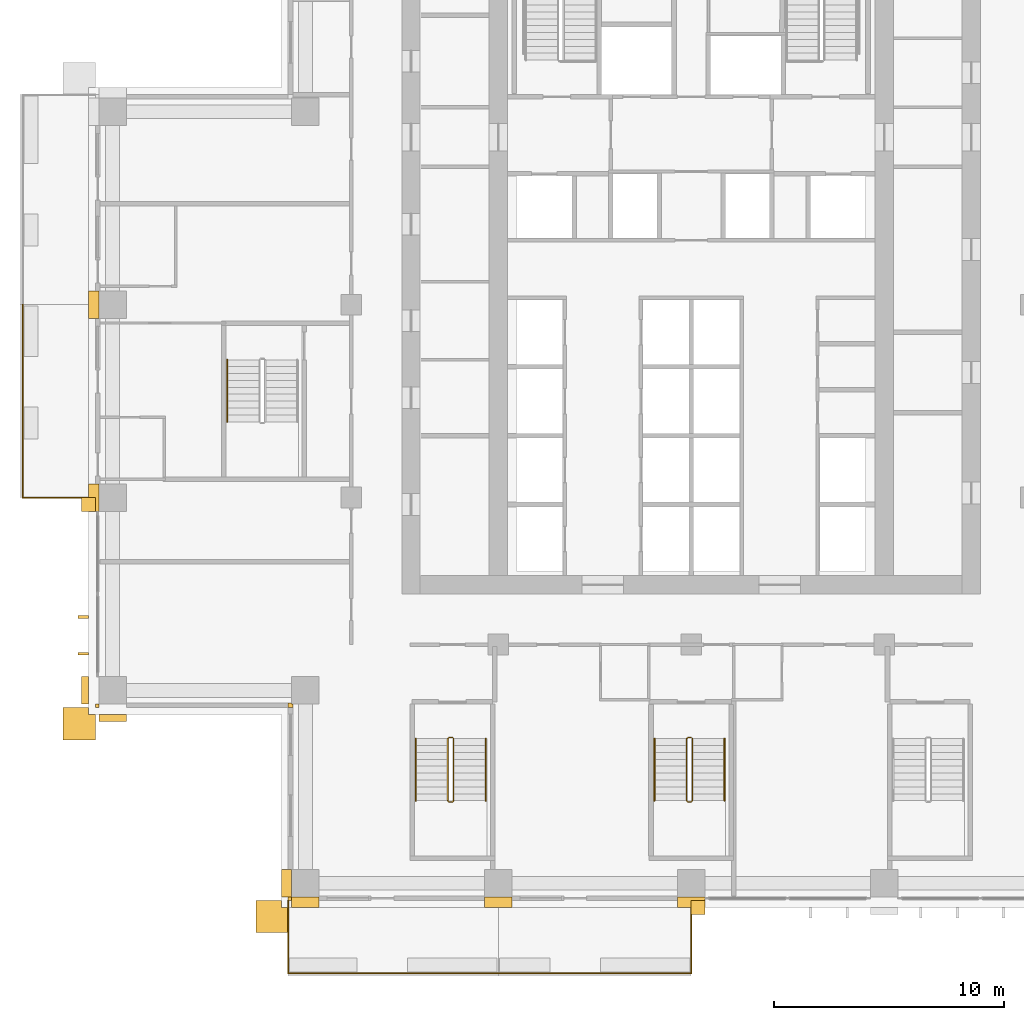
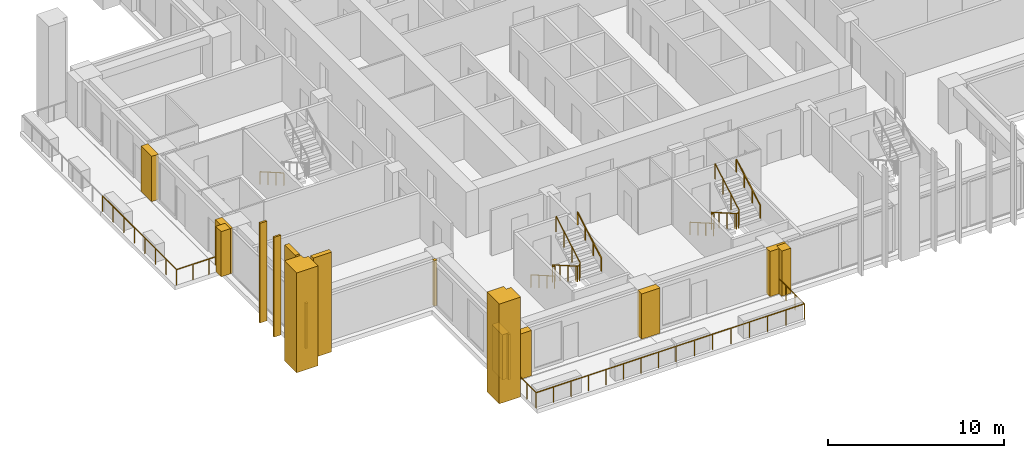
# One storey, part 13 of 17: 17 coverings, 10 railings.
"""IFC4 building model written with IfcOpenShell, lengths in metres."""

from ifc_helpers import new_model, si_unit, direction, frame, origin, origin_2d, place, context, subcontext, project, spatial, polyline, rectangle, outline, extrude, material, layer, layer_set, type_object, element, save


model = new_model("IFC4")

# Units and contexts
model_context = context("Model", 3, precision=1e-05, world=origin(), true_north=direction((0.0, 1.0)))
body_context = subcontext(model_context, "Body", "Model", "MODEL_VIEW")
ifc_project = project(units=[si_unit("LENGTHUNIT", "METRE"), si_unit("AREAUNIT", "SQUARE_METRE"), si_unit("VOLUMEUNIT", "CUBIC_METRE"), si_unit("PLANEANGLEUNIT", "RADIAN"), si_unit("MASSUNIT", "GRAM", prefix="KILO")], contexts=[model_context])

# Site, building, storey
site_placement = place(None, origin())
site = spatial("IfcSite", under=ifc_project, at=site_placement, CompositionType="ELEMENT")
building_placement = place(site_placement, origin())
building = spatial("IfcBuilding", under=site, at=building_placement, Name="Vermilion Ogive Tower", CompositionType="ELEMENT")
storey_placement = place(building_placement, frame((0.0, 0.0, 97.64990234375)))
storey = spatial("IfcBuildingStorey", under=building, at=storey_placement, Name="L24", CompositionType="ELEMENT", Elevation=97.64990234375)

# Railings
ifc_material_1 = material(Name="Stainless steel and glass", Category="steel")
railing_type_1 = type_object("IfcRailingType", Name="Balcony guard", PredefinedType="GUARDRAIL", material=ifc_material_1)
railing_1_placement = place(storey_placement, frame((-17.550048828125, -21.75, -0.039794921875)))
element("IfcRailing", 1, at=railing_1_placement, inside=storey, type_object=railing_type_1, Name="Guard S01", PredefinedType="GUARDRAIL", context=body_context, shape_type="SweptSolid", body=[
    extrude(rectangle(XDim=0.048095703125, YDim=0.048095703125, at=origin_2d()), frame((0.0, 0.0, 1.076171875), z_axis=(0.0, -1.0, 0.0), x_axis=(1.0, 0.0, 0.0)), (0.0, 0.0, 1.0), 3.159912109375),
    extrude(rectangle(XDim=0.048095703125, YDim=0.048095703125, at=origin_2d()), frame((0.0, -3.159912109375, 1.076171875), z_axis=(1.0, 0.0, 0.0), x_axis=(0.0, 1.0, 0.0)), (0.0, 0.0, 1.0), 9.150146484375),
    extrude(rectangle(XDim=0.0419921875, YDim=0.0419921875, at=origin_2d()), origin(), (0.0, 0.0, 1.0), 1.052001953125),
    extrude(rectangle(XDim=0.0419921875, YDim=0.0419921875, at=origin_2d()), frame((0.0, -1.05322265625, 0.0)), (0.0, 0.0, 1.0), 1.052001953125),
    extrude(rectangle(XDim=0.0419921875, YDim=0.0419921875, at=origin_2d()), frame((0.0, -2.106689453125, 0.0)), (0.0, 0.0, 1.0), 1.052001953125),
    extrude(rectangle(XDim=0.0419921875, YDim=0.0419921875, at=origin_2d()), frame((0.0, -3.159912109375, 0.0)), (0.0, 0.0, 1.0), 1.052001953125),
    extrude(rectangle(XDim=0.0419921875, YDim=0.0419921875, at=origin_2d()), frame((1.143798828125, -3.159912109375, 0.0)), (0.0, 0.0, 1.0), 1.052001953125),
    extrude(rectangle(XDim=0.0419921875, YDim=0.0419921875, at=origin_2d()), frame((2.28759765625, -3.159912109375, 0.0)), (0.0, 0.0, 1.0), 1.052001953125),
    extrude(rectangle(XDim=0.0419921875, YDim=0.0419921875, at=origin_2d()), frame((3.431396484375, -3.159912109375, 0.0)), (0.0, 0.0, 1.0), 1.052001953125),
    extrude(rectangle(XDim=0.0419921875, YDim=0.0419921875, at=origin_2d()), frame((4.5751953125, -3.159912109375, 0.0)), (0.0, 0.0, 1.0), 1.052001953125),
    extrude(rectangle(XDim=0.0419921875, YDim=0.0419921875, at=origin_2d()), frame((5.71875, -3.159912109375, 0.0)), (0.0, 0.0, 1.0), 1.052001953125),
    extrude(rectangle(XDim=0.0419921875, YDim=0.0419921875, at=origin_2d()), frame((6.862548828125, -3.159912109375, 0.0)), (0.0, 0.0, 1.0), 1.052001953125),
    extrude(rectangle(XDim=0.0419921875, YDim=0.0419921875, at=origin_2d()), frame((8.00634765625, -3.159912109375, 0.0)), (0.0, 0.0, 1.0), 1.052001953125),
    extrude(rectangle(XDim=0.0419921875, YDim=0.0419921875, at=origin_2d()), frame((9.150146484375, -3.159912109375, 0.0)), (0.0, 0.0, 1.0), 1.052001953125),
])
railing_2_placement = place(storey_placement, frame((-8.39990234375, -24.909912109375, -0.039794921875)))
element("IfcRailing", 2, at=railing_2_placement, inside=storey, type_object=railing_type_1, Name="Guard S02", PredefinedType="GUARDRAIL", context=body_context, shape_type="SweptSolid", body=[
    extrude(rectangle(XDim=0.048095703125, YDim=0.048095703125, at=origin_2d()), frame((0.0, 0.0, 1.076171875), z_axis=(1.0, 0.0, 0.0), x_axis=(0.0, 1.0, 0.0)), (0.0, 0.0, 1.0), 8.39990234375),
    extrude(rectangle(XDim=0.048095703125, YDim=0.048095703125, at=origin_2d()), frame((8.39990234375, 0.0, 1.076171875), z_axis=(0.0, 1.0, 0.0), x_axis=(-1.0, 0.0, 0.0)), (0.0, 0.0, 1.0), 3.159912109375),
    extrude(rectangle(XDim=0.0419921875, YDim=0.0419921875, at=origin_2d()), origin(), (0.0, 0.0, 1.0), 1.052001953125),
    extrude(rectangle(XDim=0.0419921875, YDim=0.0419921875, at=origin_2d()), frame((1.199951171875, 0.0, 0.0)), (0.0, 0.0, 1.0), 1.052001953125),
    extrude(rectangle(XDim=0.0419921875, YDim=0.0419921875, at=origin_2d()), frame((2.39990234375, 0.0, 0.0)), (0.0, 0.0, 1.0), 1.052001953125),
    extrude(rectangle(XDim=0.0419921875, YDim=0.0419921875, at=origin_2d()), frame((3.599853515625, 0.0, 0.0)), (0.0, 0.0, 1.0), 1.052001953125),
    extrude(rectangle(XDim=0.0419921875, YDim=0.0419921875, at=origin_2d()), frame((4.800048828125, 0.0, 0.0)), (0.0, 0.0, 1.0), 1.052001953125),
    extrude(rectangle(XDim=0.0419921875, YDim=0.0419921875, at=origin_2d()), frame((6.0, 0.0, 0.0)), (0.0, 0.0, 1.0), 1.052001953125),
    extrude(rectangle(XDim=0.0419921875, YDim=0.0419921875, at=origin_2d()), frame((7.199951171875, 0.0, 0.0)), (0.0, 0.0, 1.0), 1.052001953125),
    extrude(rectangle(XDim=0.0419921875, YDim=0.0419921875, at=origin_2d()), frame((8.39990234375, 0.0, 0.0)), (0.0, 0.0, 1.0), 1.052001953125),
    extrude(rectangle(XDim=0.0419921875, YDim=0.0419921875, at=origin_2d()), frame((8.39990234375, 1.05322265625, 0.0)), (0.0, 0.0, 1.0), 1.052001953125),
    extrude(rectangle(XDim=0.0419921875, YDim=0.0419921875, at=origin_2d()), frame((8.39990234375, 2.106689453125, 0.0)), (0.0, 0.0, 1.0), 1.052001953125),
    extrude(rectangle(XDim=0.0419921875, YDim=0.0419921875, at=origin_2d()), frame((8.39990234375, 3.159912109375, 0.0)), (0.0, 0.0, 1.0), 1.052001953125),
])
railing_3_placement = place(storey_placement, frame((-29.110107421875, 4.199951171875, -0.039794921875)))
element("IfcRailing", 3, at=railing_3_placement, inside=storey, type_object=railing_type_1, Name="Guard W02", PredefinedType="GUARDRAIL", context=body_context, shape_type="SweptSolid", body=[
    extrude(rectangle(XDim=0.048095703125, YDim=0.048095703125, at=origin_2d()), frame((0.0, 0.0, 1.076171875), z_axis=(0.0, -1.0, 0.0), x_axis=(1.0, 0.0, 0.0)), (0.0, 0.0, 1.0), 8.39990234375),
    extrude(rectangle(XDim=0.048095703125, YDim=0.048095703125, at=origin_2d()), frame((0.0, -8.39990234375, 1.076171875), z_axis=(1.0, 0.0, 0.0), x_axis=(0.0, 1.0, 0.0)), (0.0, 0.0, 1.0), 3.16015625),
    extrude(rectangle(XDim=0.0419921875, YDim=0.0419921875, at=origin_2d()), origin(), (0.0, 0.0, 1.0), 1.052001953125),
    extrude(rectangle(XDim=0.0419921875, YDim=0.0419921875, at=origin_2d()), frame((0.0, -1.199951171875, 0.0)), (0.0, 0.0, 1.0), 1.052001953125),
    extrude(rectangle(XDim=0.0419921875, YDim=0.0419921875, at=origin_2d()), frame((0.0, -2.39990234375, 0.0)), (0.0, 0.0, 1.0), 1.052001953125),
    extrude(rectangle(XDim=0.0419921875, YDim=0.0419921875, at=origin_2d()), frame((0.0, -3.599853515625, 0.0)), (0.0, 0.0, 1.0), 1.052001953125),
    extrude(rectangle(XDim=0.0419921875, YDim=0.0419921875, at=origin_2d()), frame((0.0, -4.800048828125, 0.0)), (0.0, 0.0, 1.0), 1.052001953125),
    extrude(rectangle(XDim=0.0419921875, YDim=0.0419921875, at=origin_2d()), frame((0.0, -6.0, 0.0)), (0.0, 0.0, 1.0), 1.052001953125),
    extrude(rectangle(XDim=0.0419921875, YDim=0.0419921875, at=origin_2d()), frame((0.0, -7.199951171875, 0.0)), (0.0, 0.0, 1.0), 1.052001953125),
    extrude(rectangle(XDim=0.0419921875, YDim=0.0419921875, at=origin_2d()), frame((0.0, -8.39990234375, 0.0)), (0.0, 0.0, 1.0), 1.052001953125),
    extrude(rectangle(XDim=0.0419921875, YDim=0.0419921875, at=origin_2d()), frame((1.053466796875, -8.39990234375, 0.0)), (0.0, 0.0, 1.0), 1.052001953125),
    extrude(rectangle(XDim=0.0419921875, YDim=0.0419921875, at=origin_2d()), frame((2.106689453125, -8.39990234375, 0.0)), (0.0, 0.0, 1.0), 1.052001953125),
    extrude(rectangle(XDim=0.0419921875, YDim=0.0419921875, at=origin_2d()), frame((3.16015625, -8.39990234375, 0.0)), (0.0, 0.0, 1.0), 1.052001953125),
])

# Coverings
ifc_material_2 = material(Name="Glazed ceramic screen")
ifc_layer = layer(ifc_material_2, 0.14990234375)
ifc_layer_set = layer_set([ifc_layer], Name="Ceramic solar screen fin")
covering_type_1 = type_object("IfcCoveringType", Name="Ceramic solar screen fin", PredefinedType="CLADDING", material=ifc_layer_set)
covering_1_placement = place(storey_placement, frame((0.0, 0.0, -0.31982421875)))
element("IfcCovering", 4, at=covering_1_placement, inside=storey, type_object=covering_type_1, Name="Solar screen blade W971", PredefinedType="CLADDING", context=body_context, shape_type="SweptSolid", body=[
    extrude(outline(polyline([(-26.699951171875, -9.340087890625), (-26.699951171875, -9.4599609375), (-26.25, -9.4599609375), (-26.25, -9.340087890625), (-26.699951171875, -9.340087890625)])), origin(), (0.0, 0.0, 1.0), 6.89990234375),
])
covering_2_placement = place(storey_placement, frame((0.0, 0.0, -0.31982421875)))
element("IfcCovering", 5, at=covering_2_placement, inside=storey, type_object=covering_type_1, Name="Solar screen blade W972", PredefinedType="CLADDING", context=body_context, shape_type="SweptSolid", body=[
    extrude(outline(polyline([(-26.699951171875, -10.93994140625), (-26.699951171875, -11.06005859375), (-26.25, -11.06005859375), (-26.25, -10.93994140625), (-26.699951171875, -10.93994140625)])), origin(), (0.0, 0.0, 1.0), 6.89990234375),
])

# Railings
ifc_material_3 = material(Name="Steel S355 painted", Category="steel")
railing_type_2 = type_object("IfcRailingType", Name="Stair guard 1100", PredefinedType="GUARDRAIL", material=ifc_material_3)
railing_4_placement = place(storey_placement, frame((-10.39990234375, -14.64990234375, 0.0)))
element("IfcRailing", 6, at=railing_4_placement, inside=storey, type_object=railing_type_2, Name="L24 ST3 stair guard 4", PredefinedType="GUARDRAIL", context=body_context, shape_type="SweptSolid", body=[
    extrude(rectangle(XDim=0.048095703125, YDim=0.048095703125, at=origin_2d()), frame((0.0, 0.0, 1.076171875), z_axis=(-1.0, 0.0, 0.0), x_axis=(0.0, -1.0, 0.0)), (0.0, 0.0, 1.0), 0.150146484375),
    extrude(rectangle(XDim=0.048095703125, YDim=0.048095703125, at=origin_2d()), frame((-0.150146484375, 0.0, 1.076171875), z_axis=(-0.268277960024, -0.268277960024, 0.925231793839), x_axis=(0.707106781187, -0.707106781187, 0.0)), (0.0, 0.0, 1.0), 0.1865234375),
    extrude(rectangle(XDim=0.048095703125, YDim=0.048095703125, at=origin_2d()), frame((-0.2001953125, -0.050048828125, 1.24853515625), z_axis=(0.0, -0.866903762492, 0.498475542607), x_axis=(1.0, 0.0, 0.0)), (0.0, 0.0, 1.0), 3.114501953125),
    extrude(rectangle(XDim=0.048095703125, YDim=0.048095703125, at=origin_2d()), frame((-0.2001953125, -2.75, 2.80126953125), z_axis=(0.707106781187, -0.707106781187, 0.0), x_axis=(0.707106781187, 0.707106781187, 0.0)), (0.0, 0.0, 1.0), 0.07080078125),
    extrude(rectangle(XDim=0.048095703125, YDim=0.048095703125, at=origin_2d()), frame((-0.150146484375, -2.800048828125, 2.80126953125), z_axis=(1.0, 0.0, 0.0), x_axis=(0.0, 1.0, 0.0)), (0.0, 0.0, 1.0), 0.150146484375),
    extrude(rectangle(XDim=0.048095703125, YDim=0.048095703125, at=origin_2d()), frame((0.0, -2.800048828125, 2.80126953125), z_axis=(0.267062837333, 0.268371968888, 0.925556009775), x_axis=(-0.708833529934, 0.705375805398, 0.0)), (0.0, 0.0, 1.0), 0.1865234375),
    extrude(rectangle(XDim=0.048095703125, YDim=0.048095703125, at=origin_2d()), frame((0.0498046875, -2.75, 2.9736328125), z_axis=(0.0, 0.866903762492, 0.498475542607), x_axis=(-1.0, 0.0, 0.0)), (0.0, 0.0, 1.0), 3.114501953125),
    extrude(rectangle(XDim=0.0419921875, YDim=0.0419921875, at=origin_2d()), origin(), (0.0, 0.0, 1.0), 1.052001953125),
    extrude(rectangle(XDim=0.0419921875, YDim=0.0419921875, at=origin_2d()), frame((-0.150146484375, 0.0, 0.0)), (0.0, 0.0, 1.0), 1.052001953125),
    extrude(rectangle(XDim=0.0419921875, YDim=0.0419921875, at=origin_2d()), frame((-0.2001953125, -0.050048828125, 0.172607421875)), (0.0, 0.0, 1.0), 1.052001953125),
    extrude(rectangle(XDim=0.0419921875, YDim=0.0419921875, at=origin_2d()), frame((-0.2001953125, -0.949951171875, 0.690185546875)), (0.0, 0.0, 1.0), 1.052001953125),
    extrude(rectangle(XDim=0.0419921875, YDim=0.0419921875, at=origin_2d()), frame((-0.2001953125, -1.85009765625, 1.20751953125)), (0.0, 0.0, 1.0), 1.052001953125),
    extrude(rectangle(XDim=0.0419921875, YDim=0.0419921875, at=origin_2d()), frame((-0.2001953125, -2.75, 1.72509765625)), (0.0, 0.0, 1.0), 1.052001953125),
    extrude(rectangle(XDim=0.0419921875, YDim=0.0419921875, at=origin_2d()), frame((-0.150146484375, -2.800048828125, 1.72509765625)), (0.0, 0.0, 1.0), 1.052001953125),
    extrude(rectangle(XDim=0.0419921875, YDim=0.0419921875, at=origin_2d()), frame((0.0, -2.800048828125, 1.72509765625)), (0.0, 0.0, 1.0), 1.052001953125),
    extrude(rectangle(XDim=0.0419921875, YDim=0.0419921875, at=origin_2d()), frame((0.0498046875, -2.75, 1.897705078125)), (0.0, 0.0, 1.0), 1.052001953125),
    extrude(rectangle(XDim=0.0419921875, YDim=0.0419921875, at=origin_2d()), frame((0.0498046875, -1.85009765625, 2.415283203125)), (0.0, 0.0, 1.0), 1.052001953125),
    extrude(rectangle(XDim=0.0419921875, YDim=0.0419921875, at=origin_2d()), frame((0.0498046875, -0.949951171875, 2.9326171875)), (0.0, 0.0, 1.0), 1.052001953125),
    extrude(rectangle(XDim=0.0419921875, YDim=0.0419921875, at=origin_2d()), frame((0.0498046875, -0.050048828125, 3.4501953125)), (0.0, 0.0, 1.0), 1.052001953125),
])
railing_5_placement = place(storey_placement, frame((0.0, -14.64990234375, 0.0)))
element("IfcRailing", 7, at=railing_5_placement, inside=storey, type_object=railing_type_2, Name="L24 ST4 stair guard 4", PredefinedType="GUARDRAIL", context=body_context, shape_type="SweptSolid", body=[
    extrude(rectangle(XDim=0.048095703125, YDim=0.048095703125, at=origin_2d()), frame((0.0, 0.0, 1.076171875), z_axis=(-1.0, 0.0, 0.0), x_axis=(0.0, -1.0, 0.0)), (0.0, 0.0, 1.0), 0.14990234375),
    extrude(rectangle(XDim=0.048095703125, YDim=0.048095703125, at=origin_2d()), frame((-0.14990234375, 0.0, 1.076171875), z_axis=(-0.268277960024, -0.268277960024, 0.925231793839), x_axis=(0.707106781187, -0.707106781187, 0.0)), (0.0, 0.0, 1.0), 0.1865234375),
    extrude(rectangle(XDim=0.048095703125, YDim=0.048095703125, at=origin_2d()), frame((-0.199951171875, -0.050048828125, 1.24853515625), z_axis=(0.0, -0.866903762492, 0.498475542607), x_axis=(1.0, 0.0, 0.0)), (0.0, 0.0, 1.0), 3.114501953125),
    extrude(rectangle(XDim=0.048095703125, YDim=0.048095703125, at=origin_2d()), frame((-0.199951171875, -2.75, 2.80126953125), z_axis=(0.707106781187, -0.707106781187, 0.0), x_axis=(0.707106781187, 0.707106781187, 0.0)), (0.0, 0.0, 1.0), 0.07080078125),
    extrude(rectangle(XDim=0.048095703125, YDim=0.048095703125, at=origin_2d()), frame((-0.14990234375, -2.800048828125, 2.80126953125), z_axis=(1.0, 0.0, 0.0), x_axis=(0.0, 1.0, 0.0)), (0.0, 0.0, 1.0), 0.14990234375),
    extrude(rectangle(XDim=0.048095703125, YDim=0.048095703125, at=origin_2d()), frame((0.0, -2.800048828125, 2.80126953125), z_axis=(0.268277960024, 0.268277960024, 0.925231793839), x_axis=(-0.707106781187, 0.707106781187, 0.0)), (0.0, 0.0, 1.0), 0.1865234375),
    extrude(rectangle(XDim=0.048095703125, YDim=0.048095703125, at=origin_2d()), frame((0.050048828125, -2.75, 2.9736328125), z_axis=(0.0, 0.866903762492, 0.498475542607), x_axis=(-1.0, 0.0, 0.0)), (0.0, 0.0, 1.0), 3.114501953125),
    extrude(rectangle(XDim=0.0419921875, YDim=0.0419921875, at=origin_2d()), origin(), (0.0, 0.0, 1.0), 1.052001953125),
    extrude(rectangle(XDim=0.0419921875, YDim=0.0419921875, at=origin_2d()), frame((-0.14990234375, 0.0, 0.0)), (0.0, 0.0, 1.0), 1.052001953125),
    extrude(rectangle(XDim=0.0419921875, YDim=0.0419921875, at=origin_2d()), frame((-0.199951171875, -0.050048828125, 0.172607421875)), (0.0, 0.0, 1.0), 1.052001953125),
    extrude(rectangle(XDim=0.0419921875, YDim=0.0419921875, at=origin_2d()), frame((-0.199951171875, -0.949951171875, 0.690185546875)), (0.0, 0.0, 1.0), 1.052001953125),
    extrude(rectangle(XDim=0.0419921875, YDim=0.0419921875, at=origin_2d()), frame((-0.199951171875, -1.85009765625, 1.20751953125)), (0.0, 0.0, 1.0), 1.052001953125),
    extrude(rectangle(XDim=0.0419921875, YDim=0.0419921875, at=origin_2d()), frame((-0.199951171875, -2.75, 1.72509765625)), (0.0, 0.0, 1.0), 1.052001953125),
    extrude(rectangle(XDim=0.0419921875, YDim=0.0419921875, at=origin_2d()), frame((-0.14990234375, -2.800048828125, 1.72509765625)), (0.0, 0.0, 1.0), 1.052001953125),
    extrude(rectangle(XDim=0.0419921875, YDim=0.0419921875, at=origin_2d()), frame((0.0, -2.800048828125, 1.72509765625)), (0.0, 0.0, 1.0), 1.052001953125),
    extrude(rectangle(XDim=0.0419921875, YDim=0.0419921875, at=origin_2d()), frame((0.050048828125, -2.75, 1.897705078125)), (0.0, 0.0, 1.0), 1.052001953125),
    extrude(rectangle(XDim=0.0419921875, YDim=0.0419921875, at=origin_2d()), frame((0.050048828125, -1.85009765625, 2.415283203125)), (0.0, 0.0, 1.0), 1.052001953125),
    extrude(rectangle(XDim=0.0419921875, YDim=0.0419921875, at=origin_2d()), frame((0.050048828125, -0.949951171875, 2.9326171875)), (0.0, 0.0, 1.0), 1.052001953125),
    extrude(rectangle(XDim=0.0419921875, YDim=0.0419921875, at=origin_2d()), frame((0.050048828125, -0.050048828125, 3.4501953125)), (0.0, 0.0, 1.0), 1.052001953125),
])
ifc_material_4 = material(Name="Stainless steel", Category="steel")
railing_type_3 = type_object("IfcRailingType", Name="Stair handrail 900", PredefinedType="HANDRAIL", material=ifc_material_4)
railing_6_placement = place(storey_placement, frame((-12.0, -14.699951171875, 0.172607421875)))
element("IfcRailing", 8, at=railing_6_placement, inside=storey, type_object=railing_type_3, Name="L24 ST3 stair handrail 1", PredefinedType="HANDRAIL", context=body_context, shape_type="SweptSolid", body=[
    extrude(rectangle(XDim=0.048095703125, YDim=0.048095703125, at=origin_2d()), frame((0.0, 0.0, 0.8759765625), z_axis=(0.0, -0.866903762492, 0.498475542607), x_axis=(1.0, 0.0, 0.0)), (0.0, 0.0, 1.0), 3.114501953125),
    extrude(rectangle(XDim=0.0419921875, YDim=0.0419921875, at=origin_2d()), origin(), (0.0, 0.0, 1.0), 0.851806640625),
    extrude(rectangle(XDim=0.0419921875, YDim=0.0419921875, at=origin_2d()), frame((0.0, -0.89990234375, 0.517578125)), (0.0, 0.0, 1.0), 0.851806640625),
    extrude(rectangle(XDim=0.0419921875, YDim=0.0419921875, at=origin_2d()), frame((0.0, -1.800048828125, 1.034912109375)), (0.0, 0.0, 1.0), 0.851806640625),
    extrude(rectangle(XDim=0.0419921875, YDim=0.0419921875, at=origin_2d()), frame((0.0, -2.699951171875, 1.552490234375)), (0.0, 0.0, 1.0), 0.851806640625),
])
railing_7_placement = place(storey_placement, frame((-8.949951171875, -17.39990234375, 1.897705078125)))
element("IfcRailing", 9, at=railing_7_placement, inside=storey, type_object=railing_type_3, Name="L24 ST3 stair handrail 2", PredefinedType="HANDRAIL", context=body_context, shape_type="SweptSolid", body=[
    extrude(rectangle(XDim=0.048095703125, YDim=0.048095703125, at=origin_2d()), frame((0.0, 0.0, 0.8759765625), z_axis=(0.0, 0.866903762492, 0.498475542607), x_axis=(-1.0, 0.0, 0.0)), (0.0, 0.0, 1.0), 3.114501953125),
    extrude(rectangle(XDim=0.0419921875, YDim=0.0419921875, at=origin_2d()), origin(), (0.0, 0.0, 1.0), 0.851806640625),
    extrude(rectangle(XDim=0.0419921875, YDim=0.0419921875, at=origin_2d()), frame((0.0, 0.89990234375, 0.517578125)), (0.0, 0.0, 1.0), 0.851806640625),
    extrude(rectangle(XDim=0.0419921875, YDim=0.0419921875, at=origin_2d()), frame((0.0, 1.800048828125, 1.034912109375)), (0.0, 0.0, 1.0), 0.851806640625),
    extrude(rectangle(XDim=0.0419921875, YDim=0.0419921875, at=origin_2d()), frame((0.0, 2.699951171875, 1.552490234375)), (0.0, 0.0, 1.0), 0.851806640625),
])
railing_8_placement = place(storey_placement, frame((-1.60009765625, -14.699951171875, 0.172607421875)))
element("IfcRailing", 10, at=railing_8_placement, inside=storey, type_object=railing_type_3, Name="L24 ST4 stair handrail 1", PredefinedType="HANDRAIL", context=body_context, shape_type="SweptSolid", body=[
    extrude(rectangle(XDim=0.048095703125, YDim=0.048095703125, at=origin_2d()), frame((0.0, 0.0, 0.8759765625), z_axis=(0.0, -0.866903762492, 0.498475542607), x_axis=(1.0, 0.0, 0.0)), (0.0, 0.0, 1.0), 3.114501953125),
    extrude(rectangle(XDim=0.0419921875, YDim=0.0419921875, at=origin_2d()), origin(), (0.0, 0.0, 1.0), 0.851806640625),
    extrude(rectangle(XDim=0.0419921875, YDim=0.0419921875, at=origin_2d()), frame((0.0, -0.89990234375, 0.517578125)), (0.0, 0.0, 1.0), 0.851806640625),
    extrude(rectangle(XDim=0.0419921875, YDim=0.0419921875, at=origin_2d()), frame((0.0, -1.800048828125, 1.034912109375)), (0.0, 0.0, 1.0), 0.851806640625),
    extrude(rectangle(XDim=0.0419921875, YDim=0.0419921875, at=origin_2d()), frame((0.0, -2.699951171875, 1.552490234375)), (0.0, 0.0, 1.0), 0.851806640625),
])
railing_9_placement = place(storey_placement, frame((1.449951171875, -17.39990234375, 1.897705078125)))
element("IfcRailing", 11, at=railing_9_placement, inside=storey, type_object=railing_type_3, Name="L24 ST4 stair handrail 2", PredefinedType="HANDRAIL", context=body_context, shape_type="SweptSolid", body=[
    extrude(rectangle(XDim=0.048095703125, YDim=0.048095703125, at=origin_2d()), frame((0.0, 0.0, 0.8759765625), z_axis=(0.0, 0.866903762492, 0.498475542607), x_axis=(-1.0, 0.0, 0.0)), (0.0, 0.0, 1.0), 3.114501953125),
    extrude(rectangle(XDim=0.0419921875, YDim=0.0419921875, at=origin_2d()), origin(), (0.0, 0.0, 1.0), 0.851806640625),
    extrude(rectangle(XDim=0.0419921875, YDim=0.0419921875, at=origin_2d()), frame((0.0, 0.89990234375, 0.517578125)), (0.0, 0.0, 1.0), 0.851806640625),
    extrude(rectangle(XDim=0.0419921875, YDim=0.0419921875, at=origin_2d()), frame((0.0, 1.800048828125, 1.034912109375)), (0.0, 0.0, 1.0), 0.851806640625),
    extrude(rectangle(XDim=0.0419921875, YDim=0.0419921875, at=origin_2d()), frame((0.0, 2.699951171875, 1.552490234375)), (0.0, 0.0, 1.0), 0.851806640625),
])
railing_10_placement = place(storey_placement, frame((-20.199951171875, 1.800048828125, 0.172607421875)))
element("IfcRailing", 12, at=railing_10_placement, inside=storey, type_object=railing_type_3, Name="L24 ST9 stair handrail 1", PredefinedType="HANDRAIL", context=body_context, shape_type="SweptSolid", body=[
    extrude(rectangle(XDim=0.048095703125, YDim=0.048095703125, at=origin_2d()), frame((0.0, 0.0, 0.8759765625), z_axis=(0.0, -0.866903762492, 0.498475542607), x_axis=(1.0, 0.0, 0.0)), (0.0, 0.0, 1.0), 3.114501953125),
    extrude(rectangle(XDim=0.0419921875, YDim=0.0419921875, at=origin_2d()), origin(), (0.0, 0.0, 1.0), 0.851806640625),
    extrude(rectangle(XDim=0.0419921875, YDim=0.0419921875, at=origin_2d()), frame((0.0, -0.89990234375, 0.517578125)), (0.0, 0.0, 1.0), 0.851806640625),
    extrude(rectangle(XDim=0.0419921875, YDim=0.0419921875, at=origin_2d()), frame((0.0, -1.800048828125, 1.034912109375)), (0.0, 0.0, 1.0), 0.851806640625),
    extrude(rectangle(XDim=0.0419921875, YDim=0.0419921875, at=origin_2d()), frame((0.0, -2.699951171875, 1.552490234375)), (0.0, 0.0, 1.0), 0.851806640625),
])

# Coverings
ifc_material_5 = material(Name="Stone cladding", Category="masonry")
covering_type_2 = type_object("IfcCoveringType", Name="Stone corner buttress", PredefinedType="CLADDING", material=ifc_material_5)
covering_3_placement = place(storey_placement, origin())
element("IfcCovering", 13, at=covering_3_placement, inside=storey, type_object=covering_type_2, Name="Stone crease pier SK", PredefinedType="CLADDING", context=body_context, shape_type="SweptSolid", body=[
    extrude(outline(polyline([(0.0, -22.35009765625), (0.60009765625, -22.35009765625), (0.60009765625, -21.75), (0.0, -21.75), (0.0, -22.35009765625)])), origin(), (0.0, 0.0, 1.0), 3.130126953125),
])
covering_4_placement = place(storey_placement, origin())
element("IfcCovering", 14, at=covering_4_placement, inside=storey, type_object=covering_type_2, Name="Stone crease pier WK", PredefinedType="CLADDING", context=body_context, shape_type="SweptSolid", body=[
    extrude(outline(polyline([(-26.550048828125, -4.199951171875), (-26.550048828125, -4.800048828125), (-25.949951171875, -4.800048828125), (-25.949951171875, -4.199951171875), (-26.550048828125, -4.199951171875)])), origin(), (0.0, 0.0, 1.0), 3.130126953125),
])
covering_5_placement = place(storey_placement, frame((0.0, 0.0, -0.31982421875)))
element("IfcCovering", 15, at=covering_5_placement, inside=storey, type_object=covering_type_2, Name="Stone corner buttress S1", PredefinedType="CLADDING", context=body_context, shape_type="SweptSolid", body=[
    extrude(outline(polyline([(-17.85009765625, -22.050048828125), (-17.550048828125, -22.050048828125), (-17.550048828125, -23.14990234375), (-18.949951171875, -23.14990234375), (-18.949951171875, -21.75), (-17.85009765625, -21.75), (-17.85009765625, -22.050048828125)])), origin(), (0.0, 0.0, 1.0), 6.89990234375),
])
covering_6_placement = place(storey_placement, frame((0.0, 0.0, -0.31982421875)))
element("IfcCovering", 16, at=covering_6_placement, inside=storey, type_object=covering_type_2, Name="Stone corner buttress X71", PredefinedType="CLADDING", context=body_context, shape_type="SweptSolid", body=[
    extrude(outline(polyline([(-26.25, -13.35009765625), (-26.25, -13.64990234375), (-25.949951171875, -13.64990234375), (-25.949951171875, -14.75), (-27.35009765625, -14.75), (-27.35009765625, -13.35009765625), (-26.25, -13.35009765625)])), origin(), (0.0, 0.0, 1.0), 6.89990234375),
])
ifc_material_6 = material(Name="Stone cladding", Category="masonry")
covering_type_3 = type_object("IfcCoveringType", Name="Stone pier", PredefinedType="CLADDING", material=ifc_material_6)
covering_7_placement = place(storey_placement, origin())
element("IfcCovering", 17, at=covering_7_placement, inside=storey, type_object=covering_type_3, Name="Stone corner pier WE1", PredefinedType="CLADDING", context=body_context, shape_type="SweptSolid", body=[
    extrude(outline(polyline([(-25.949951171875, -13.199951171875), (-25.800048828125, -13.199951171875), (-25.800048828125, -13.35009765625), (-25.949951171875, -13.35009765625), (-25.949951171875, -13.199951171875)])), origin(), (0.0, 0.0, 1.0), 3.130126953125),
])
covering_8_placement = place(storey_placement, origin())
element("IfcCovering", 18, at=covering_8_placement, inside=storey, type_object=covering_type_3, Name="Stone corner pier X7E1", PredefinedType="CLADDING", context=body_context, shape_type="SweptSolid", body=[
    extrude(outline(polyline([(-17.39990234375, -13.14990234375), (-17.39990234375, -13.199951171875), (-17.35009765625, -13.199951171875), (-17.35009765625, -13.35009765625), (-17.550048828125, -13.35009765625), (-17.550048828125, -13.14990234375), (-17.39990234375, -13.14990234375)])), origin(), (0.0, 0.0, 1.0), 3.130126953125),
])
covering_9_placement = place(storey_placement, origin())
element("IfcCovering", 19, at=covering_9_placement, inside=storey, type_object=covering_type_3, Name="Stone corner pier X8E1", PredefinedType="CLADDING", context=body_context, shape_type="SweptSolid", body=[
    extrude(outline(polyline([(-17.550048828125, -21.60009765625), (-17.39990234375, -21.60009765625), (-17.39990234375, -21.60009765625), (-17.39990234375, -21.75), (-17.550048828125, -21.75), (-17.550048828125, -21.60009765625)])), origin(), (0.0, 0.0, 1.0), 3.130126953125),
])
covering_10_placement = place(storey_placement, frame((0.0, 0.0, -0.31982421875)))
element("IfcCovering", 20, at=covering_10_placement, inside=storey, type_object=covering_type_3, Name="Stone pier P-0252-126W", PredefinedType="CLADDING", context=body_context, shape_type="SweptSolid", body=[
    extrude(outline(polyline([(-26.550048828125, -13.199951171875), (-26.550048828125, -12.0), (-26.25, -12.0), (-26.25, -13.199951171875), (-26.550048828125, -13.199951171875)])), origin(), (0.0, 0.0, 1.0), 6.89990234375),
])
covering_11_placement = place(storey_placement, frame((0.0, 0.0, -0.31982421875)))
element("IfcCovering", 21, at=covering_11_placement, inside=storey, type_object=covering_type_3, Name="Stone pier P-0252-126X7", PredefinedType="CLADDING", context=body_context, shape_type="SweptSolid", body=[
    extrude(outline(polyline([(-25.800048828125, -13.949951171875), (-25.800048828125, -13.64990234375), (-24.60009765625, -13.64990234375), (-24.60009765625, -13.949951171875), (-25.800048828125, -13.949951171875)])), origin(), (0.0, 0.0, 1.0), 6.89990234375),
])
covering_12_placement = place(storey_placement, origin())
element("IfcCovering", 22, at=covering_12_placement, inside=storey, type_object=covering_type_3, Name="Stone pier P+0000-210", PredefinedType="CLADDING", context=body_context, shape_type="SweptSolid", body=[
    extrude(outline(polyline([(0.60009765625, -21.60009765625), (0.60009765625, -21.60009765625), (0.60009765625, -22.050048828125), (0.60009765625, -22.050048828125), (0.60009765625, -21.75), (0.0, -21.75), (0.0, -22.050048828125), (-0.60009765625, -22.050048828125), (-0.60009765625, -21.60009765625), (-0.60009765625, -21.60009765625), (0.60009765625, -21.60009765625)])), origin(), (0.0, 0.0, 1.0), 3.130126953125),
])
covering_13_placement = place(storey_placement, origin())
element("IfcCovering", 23, at=covering_13_placement, inside=storey, type_object=covering_type_3, Name="Stone pier P-0084-210", PredefinedType="CLADDING", context=body_context, shape_type="SweptSolid", body=[
    extrude(outline(polyline([(-7.800048828125, -22.050048828125), (-9.0, -22.050048828125), (-9.0, -21.60009765625), (-7.800048828125, -21.60009765625), (-7.800048828125, -22.050048828125)])), origin(), (0.0, 0.0, 1.0), 3.130126953125),
])
covering_14_placement = place(storey_placement, origin())
element("IfcCovering", 24, at=covering_14_placement, inside=storey, type_object=covering_type_3, Name="Stone pier P-0168-210S", PredefinedType="CLADDING", context=body_context, shape_type="SweptSolid", body=[
    extrude(outline(polyline([(-16.199951171875, -22.050048828125), (-17.39990234375, -22.050048828125), (-17.39990234375, -21.60009765625), (-16.199951171875, -21.60009765625), (-16.199951171875, -22.050048828125)])), origin(), (0.0, 0.0, 1.0), 3.130126953125),
])
covering_15_placement = place(storey_placement, origin())
element("IfcCovering", 25, at=covering_15_placement, inside=storey, type_object=covering_type_3, Name="Stone pier P-0168-210X8", PredefinedType="CLADDING", context=body_context, shape_type="SweptSolid", body=[
    extrude(outline(polyline([(-17.85009765625, -20.39990234375), (-17.39990234375, -20.39990234375), (-17.39990234375, -21.60009765625), (-17.85009765625, -21.60009765625), (-17.85009765625, -20.39990234375)])), origin(), (0.0, 0.0, 1.0), 3.130126953125),
])
covering_16_placement = place(storey_placement, origin())
element("IfcCovering", 26, at=covering_16_placement, inside=storey, type_object=covering_type_3, Name="Stone pier P-0252+042", PredefinedType="CLADDING", context=body_context, shape_type="SweptSolid", body=[
    extrude(outline(polyline([(-25.800048828125, 3.60009765625), (-26.25, 3.60009765625), (-26.25, 4.800048828125), (-25.800048828125, 4.800048828125), (-25.800048828125, 4.800048828125), (-25.800048828125, 3.60009765625)])), origin(), (0.0, 0.0, 1.0), 3.130126953125),
])
covering_17_placement = place(storey_placement, origin())
element("IfcCovering", 27, at=covering_17_placement, inside=storey, type_object=covering_type_3, Name="Stone pier P-0252-042", PredefinedType="CLADDING", context=body_context, shape_type="SweptSolid", body=[
    extrude(outline(polyline([(-25.800048828125, -4.800048828125), (-25.800048828125, -4.800048828125), (-26.25, -4.800048828125), (-26.25, -4.800048828125), (-25.949951171875, -4.800048828125), (-25.949951171875, -4.199951171875), (-26.25, -4.199951171875), (-26.25, -3.60009765625), (-25.800048828125, -3.60009765625), (-25.800048828125, -3.60009765625), (-25.800048828125, -4.800048828125)])), origin(), (0.0, 0.0, 1.0), 3.130126953125),
])

save(model, "model.ifc")
